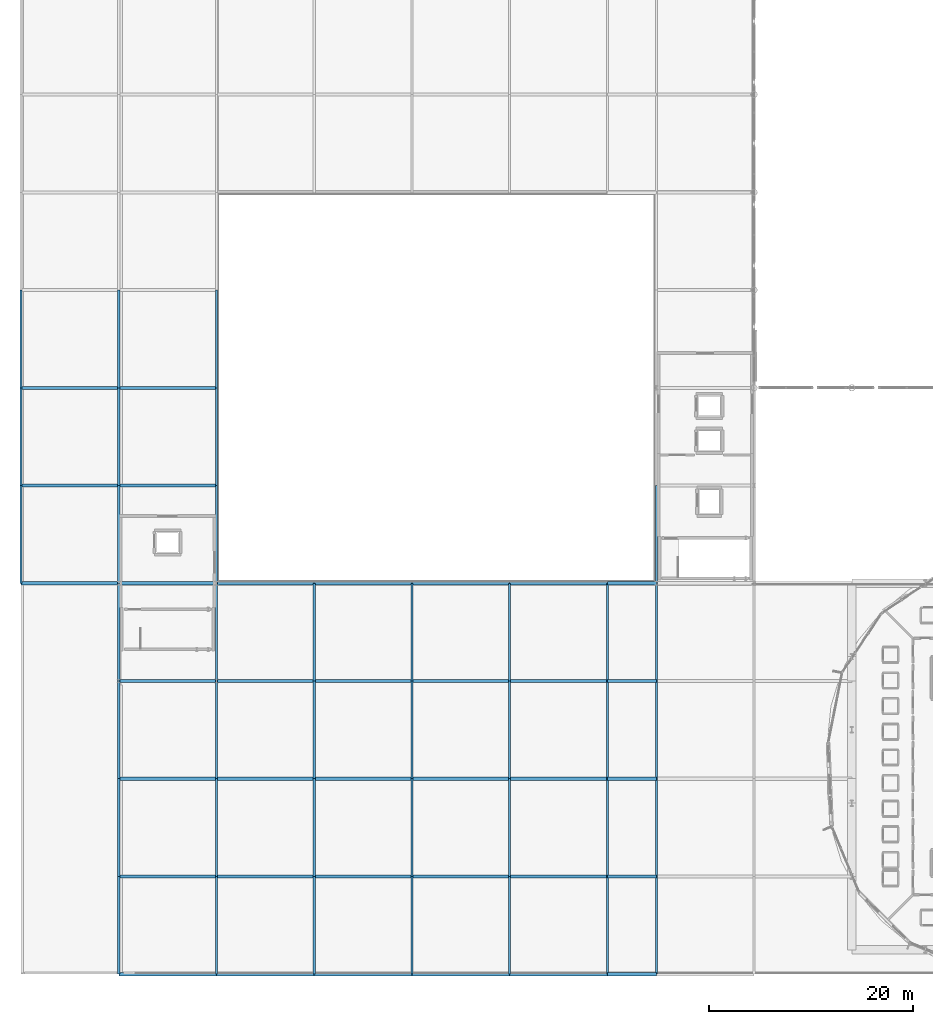
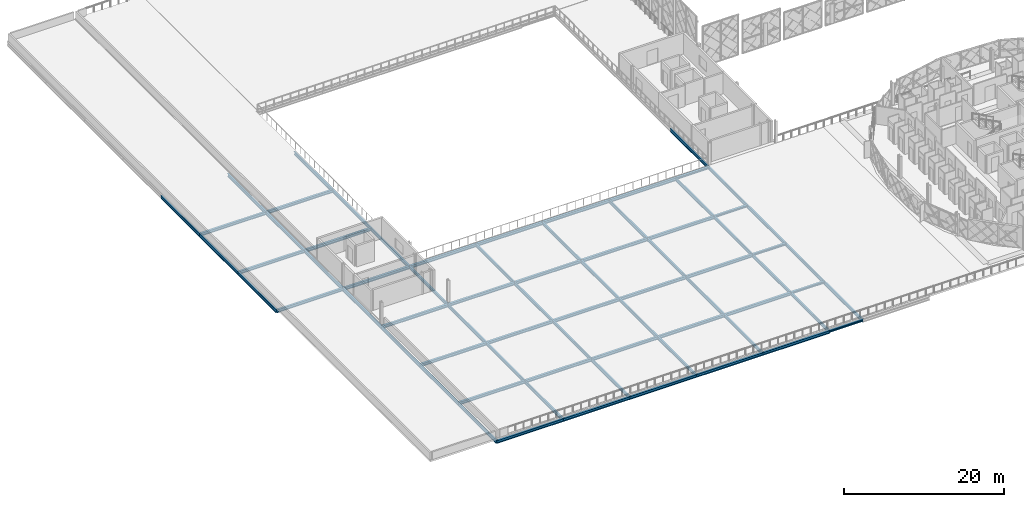
# One storey, part 8 of 53: 73 beams.
"""IFC4 building model written with IfcOpenShell, lengths in metres."""

from ifc_helpers import new_model, si_unit, direction, frame, origin, origin_2d, place, context, subcontext, project, spatial, i_section, extrude, material, material_profile, profile_set, type_object, element, save


model = new_model("IFC4")

# Units and contexts
model_context = context("Model", 3, precision=1e-05, world=origin(), true_north=direction((0.0, 1.0)))
body_context = subcontext(model_context, "Body", "Model", "MODEL_VIEW")
ifc_project = project(units=[si_unit("LENGTHUNIT", "METRE"), si_unit("AREAUNIT", "SQUARE_METRE"), si_unit("VOLUMEUNIT", "CUBIC_METRE"), si_unit("PLANEANGLEUNIT", "RADIAN"), si_unit("MASSUNIT", "GRAM", prefix="KILO")], contexts=[model_context])

# Site, building, storey
site_placement = place(None, origin())
site = spatial("IfcSite", under=ifc_project, at=site_placement, CompositionType="ELEMENT")
building_placement = place(site_placement, origin())
building = spatial("IfcBuilding", under=site, at=building_placement, Name="Zevrakil Square Congress Hotel", CompositionType="ELEMENT")
storey_placement = place(building_placement, frame((0.0, 0.0, 14.699951171875)))
storey = spatial("IfcBuildingStorey", under=building, at=storey_placement, Name="L04", CompositionType="ELEMENT", Elevation=14.699951171875)

# Beams
ifc_material_1 = material(Name="Steel S355", Category="steel")
ifc_material_profile_1 = material_profile(ifc_material_1, i_section(OverallWidth=0.300048828125, OverallDepth=0.31005859375, WebThickness=0.009033203125, FlangeThickness=0.015380859375, FilletRadius=0.027099609375, at=origin_2d()), Name="HEA 320")
ifc_profile_set_1 = profile_set([ifc_material_profile_1], Name="Steel S355")
beam_type_1 = type_object("IfcBeamType", Name="BM-HEA320", PredefinedType="BEAM", material=ifc_profile_set_1)
for number, where, z_axis, x_axis, name in (
    (1, (103.199951171875, 7.199951171875, -0.4150390625), (1.0, 0.0, 0.0), (0.0, 1.0, 0.0), "L04 primary girder BX-1197"),
    (2, (103.199951171875, 16.800048828125, -0.4150390625), (1.0, 0.0, 0.0), (0.0, 1.0, 0.0), "L04 primary girder BX-1204"),
    (3, (103.199951171875, 26.39990234375, -0.4150390625), (1.0, 0.0, 0.0), (0.0, 1.0, 0.0), "L04 primary girder BX-1212"),
    (4, (103.199951171875, 36.0, -0.4150390625), (1.0, 0.0, 0.0), (0.0, 1.0, 0.0), "L04 primary girder BX-1220"),
    (5, (103.199951171875, 45.60009765625, -0.4150390625), (1.0, 0.0, 0.0), (0.0, 1.0, 0.0), "L04 primary girder BX-1229"),
):
    element("IfcBeam", number, at=place(storey_placement, frame(where, z_axis=z_axis, x_axis=x_axis)), inside=storey, type_object=beam_type_1, Name=name, PredefinedType="BEAM", context=body_context, shape_type="SweptSolid", body=[
        extrude(i_section(OverallWidth=0.300048828125, OverallDepth=0.31005859375, WebThickness=0.009033203125, FlangeThickness=0.015380859375, FilletRadius=0.027099609375, at=origin_2d()), origin(), (0.0, 0.0, 1.0), 4.800048828125),
    ])
ifc_material_2 = material(Name="Steel S355", Category="steel")
ifc_material_profile_2 = material_profile(ifc_material_2, i_section(OverallWidth=0.300048828125, OverallDepth=0.43994140625, WebThickness=0.011474609375, FlangeThickness=0.02099609375, FilletRadius=0.027099609375, at=origin_2d()), Name="HEA 450")
ifc_profile_set_2 = profile_set([ifc_material_profile_2], Name="Steel S355")
beam_type_2 = type_object("IfcBeamType", Name="BM-HEA450", PredefinedType="BEAM", material=ifc_profile_set_2)
beam_1_placement = place(storey_placement, frame((55.199951171875, 7.199951171875, -0.47998046875), z_axis=(1.0, 0.0, 0.0), x_axis=(0.0, 1.0, 0.0)))
element("IfcBeam", 6, at=beam_1_placement, inside=storey, type_object=beam_type_2, Name="L04 primary girder BX-1192", PredefinedType="BEAM", context=body_context, shape_type="SweptSolid", body=[
    extrude(i_section(OverallWidth=0.300048828125, OverallDepth=0.43994140625, WebThickness=0.011474609375, FlangeThickness=0.02099609375, FilletRadius=0.027099609375, at=origin_2d()), origin(), (0.0, 0.0, 1.0), 9.60009765625),
])
beam_2_placement = place(storey_placement, frame((64.800048828125, 7.199951171875, -0.47998046875), z_axis=(1.0, 0.0, 0.0), x_axis=(0.0, 1.0, 0.0)))
element("IfcBeam", 7, at=beam_2_placement, inside=storey, type_object=beam_type_2, Name="L04 primary girder BX-1193", PredefinedType="BEAM", context=body_context, shape_type="SweptSolid", body=[
    extrude(i_section(OverallWidth=0.300048828125, OverallDepth=0.43994140625, WebThickness=0.011474609375, FlangeThickness=0.02099609375, FilletRadius=0.027099609375, at=origin_2d()), origin(), (0.0, 0.0, 1.0), 9.599853515625),
])
for number, where, z_axis, x_axis, name in (
    (8, (74.39990234375, 7.199951171875, -0.47998046875), (1.0, 0.0, 0.0), (0.0, 1.0, 0.0), "L04 primary girder BX-1194"),
    (9, (84.0, 7.199951171875, -0.47998046875), (1.0, 0.0, 0.0), (0.0, 1.0, 0.0), "L04 primary girder BX-1195"),
):
    element("IfcBeam", number, at=place(storey_placement, frame(where, z_axis=z_axis, x_axis=x_axis)), inside=storey, type_object=beam_type_2, Name=name, PredefinedType="BEAM", context=body_context, shape_type="SweptSolid", body=[
        extrude(i_section(OverallWidth=0.300048828125, OverallDepth=0.43994140625, WebThickness=0.011474609375, FlangeThickness=0.02099609375, FilletRadius=0.027099609375, at=origin_2d()), origin(), (0.0, 0.0, 1.0), 9.60009765625),
    ])
beam_3_placement = place(storey_placement, frame((93.60009765625, 7.199951171875, -0.47998046875), z_axis=(1.0, 0.0, 0.0), x_axis=(0.0, 1.0, 0.0)))
element("IfcBeam", 10, at=beam_3_placement, inside=storey, type_object=beam_type_2, Name="L04 primary girder BX-1196", PredefinedType="BEAM", context=body_context, shape_type="SweptSolid", body=[
    extrude(i_section(OverallWidth=0.300048828125, OverallDepth=0.43994140625, WebThickness=0.011474609375, FlangeThickness=0.02099609375, FilletRadius=0.027099609375, at=origin_2d()), origin(), (0.0, 0.0, 1.0), 9.599853515625),
])
beam_4_placement = place(storey_placement, frame((55.199951171875, 16.800048828125, -0.47998046875), z_axis=(1.0, 0.0, 0.0), x_axis=(0.0, 1.0, 0.0)))
element("IfcBeam", 11, at=beam_4_placement, inside=storey, type_object=beam_type_2, Name="L04 primary girder BX-1199", PredefinedType="BEAM", context=body_context, shape_type="SweptSolid", body=[
    extrude(i_section(OverallWidth=0.300048828125, OverallDepth=0.43994140625, WebThickness=0.011474609375, FlangeThickness=0.02099609375, FilletRadius=0.027099609375, at=origin_2d()), origin(), (0.0, 0.0, 1.0), 9.60009765625),
])
beam_5_placement = place(storey_placement, frame((64.800048828125, 16.800048828125, -0.47998046875), z_axis=(1.0, 0.0, 0.0), x_axis=(0.0, 1.0, 0.0)))
element("IfcBeam", 12, at=beam_5_placement, inside=storey, type_object=beam_type_2, Name="L04 primary girder BX-1200", PredefinedType="BEAM", context=body_context, shape_type="SweptSolid", body=[
    extrude(i_section(OverallWidth=0.300048828125, OverallDepth=0.43994140625, WebThickness=0.011474609375, FlangeThickness=0.02099609375, FilletRadius=0.027099609375, at=origin_2d()), origin(), (0.0, 0.0, 1.0), 9.599853515625),
])
for number, where, z_axis, x_axis, name in (
    (13, (74.39990234375, 16.800048828125, -0.47998046875), (1.0, 0.0, 0.0), (0.0, 1.0, 0.0), "L04 primary girder BX-1201"),
    (14, (84.0, 16.800048828125, -0.47998046875), (1.0, 0.0, 0.0), (0.0, 1.0, 0.0), "L04 primary girder BX-1202"),
):
    element("IfcBeam", number, at=place(storey_placement, frame(where, z_axis=z_axis, x_axis=x_axis)), inside=storey, type_object=beam_type_2, Name=name, PredefinedType="BEAM", context=body_context, shape_type="SweptSolid", body=[
        extrude(i_section(OverallWidth=0.300048828125, OverallDepth=0.43994140625, WebThickness=0.011474609375, FlangeThickness=0.02099609375, FilletRadius=0.027099609375, at=origin_2d()), origin(), (0.0, 0.0, 1.0), 9.60009765625),
    ])
beam_6_placement = place(storey_placement, frame((93.60009765625, 16.800048828125, -0.47998046875), z_axis=(1.0, 0.0, 0.0), x_axis=(0.0, 1.0, 0.0)))
element("IfcBeam", 15, at=beam_6_placement, inside=storey, type_object=beam_type_2, Name="L04 primary girder BX-1203", PredefinedType="BEAM", context=body_context, shape_type="SweptSolid", body=[
    extrude(i_section(OverallWidth=0.300048828125, OverallDepth=0.43994140625, WebThickness=0.011474609375, FlangeThickness=0.02099609375, FilletRadius=0.027099609375, at=origin_2d()), origin(), (0.0, 0.0, 1.0), 9.599853515625),
])
beam_7_placement = place(storey_placement, frame((55.199951171875, 26.39990234375, -0.47998046875), z_axis=(1.0, 0.0, 0.0), x_axis=(0.0, 1.0, 0.0)))
element("IfcBeam", 16, at=beam_7_placement, inside=storey, type_object=beam_type_2, Name="L04 primary girder BX-1207", PredefinedType="BEAM", context=body_context, shape_type="SweptSolid", body=[
    extrude(i_section(OverallWidth=0.300048828125, OverallDepth=0.43994140625, WebThickness=0.011474609375, FlangeThickness=0.02099609375, FilletRadius=0.027099609375, at=origin_2d()), origin(), (0.0, 0.0, 1.0), 9.60009765625),
])
beam_8_placement = place(storey_placement, frame((64.800048828125, 26.39990234375, -0.47998046875), z_axis=(1.0, 0.0, 0.0), x_axis=(0.0, 1.0, 0.0)))
element("IfcBeam", 17, at=beam_8_placement, inside=storey, type_object=beam_type_2, Name="L04 primary girder BX-1208", PredefinedType="BEAM", context=body_context, shape_type="SweptSolid", body=[
    extrude(i_section(OverallWidth=0.300048828125, OverallDepth=0.43994140625, WebThickness=0.011474609375, FlangeThickness=0.02099609375, FilletRadius=0.027099609375, at=origin_2d()), origin(), (0.0, 0.0, 1.0), 9.599853515625),
])
for number, where, z_axis, x_axis, name in (
    (18, (74.39990234375, 26.39990234375, -0.47998046875), (1.0, 0.0, 0.0), (0.0, 1.0, 0.0), "L04 primary girder BX-1209"),
    (19, (84.0, 26.39990234375, -0.47998046875), (1.0, 0.0, 0.0), (0.0, 1.0, 0.0), "L04 primary girder BX-1210"),
):
    element("IfcBeam", number, at=place(storey_placement, frame(where, z_axis=z_axis, x_axis=x_axis)), inside=storey, type_object=beam_type_2, Name=name, PredefinedType="BEAM", context=body_context, shape_type="SweptSolid", body=[
        extrude(i_section(OverallWidth=0.300048828125, OverallDepth=0.43994140625, WebThickness=0.011474609375, FlangeThickness=0.02099609375, FilletRadius=0.027099609375, at=origin_2d()), origin(), (0.0, 0.0, 1.0), 9.60009765625),
    ])
beam_9_placement = place(storey_placement, frame((93.60009765625, 26.39990234375, -0.47998046875), z_axis=(1.0, 0.0, 0.0), x_axis=(0.0, 1.0, 0.0)))
element("IfcBeam", 20, at=beam_9_placement, inside=storey, type_object=beam_type_2, Name="L04 primary girder BX-1211", PredefinedType="BEAM", context=body_context, shape_type="SweptSolid", body=[
    extrude(i_section(OverallWidth=0.300048828125, OverallDepth=0.43994140625, WebThickness=0.011474609375, FlangeThickness=0.02099609375, FilletRadius=0.027099609375, at=origin_2d()), origin(), (0.0, 0.0, 1.0), 9.599853515625),
])
beam_10_placement = place(storey_placement, frame((55.199951171875, 36.0, -0.47998046875), z_axis=(1.0, 0.0, 0.0), x_axis=(0.0, 1.0, 0.0)))
element("IfcBeam", 21, at=beam_10_placement, inside=storey, type_object=beam_type_2, Name="L04 primary girder BX-1215", PredefinedType="BEAM", context=body_context, shape_type="SweptSolid", body=[
    extrude(i_section(OverallWidth=0.300048828125, OverallDepth=0.43994140625, WebThickness=0.011474609375, FlangeThickness=0.02099609375, FilletRadius=0.027099609375, at=origin_2d()), origin(), (0.0, 0.0, 1.0), 9.60009765625),
])
beam_11_placement = place(storey_placement, frame((64.800048828125, 36.0, -0.47998046875), z_axis=(1.0, 0.0, 0.0), x_axis=(0.0, 1.0, 0.0)))
element("IfcBeam", 22, at=beam_11_placement, inside=storey, type_object=beam_type_2, Name="L04 primary girder BX-1216", PredefinedType="BEAM", context=body_context, shape_type="SweptSolid", body=[
    extrude(i_section(OverallWidth=0.300048828125, OverallDepth=0.43994140625, WebThickness=0.011474609375, FlangeThickness=0.02099609375, FilletRadius=0.027099609375, at=origin_2d()), origin(), (0.0, 0.0, 1.0), 9.599853515625),
])
for number, where, z_axis, x_axis, name in (
    (23, (74.39990234375, 36.0, -0.47998046875), (1.0, 0.0, 0.0), (0.0, 1.0, 0.0), "L04 primary girder BX-1217"),
    (24, (84.0, 36.0, -0.47998046875), (1.0, 0.0, 0.0), (0.0, 1.0, 0.0), "L04 primary girder BX-1218"),
):
    element("IfcBeam", number, at=place(storey_placement, frame(where, z_axis=z_axis, x_axis=x_axis)), inside=storey, type_object=beam_type_2, Name=name, PredefinedType="BEAM", context=body_context, shape_type="SweptSolid", body=[
        extrude(i_section(OverallWidth=0.300048828125, OverallDepth=0.43994140625, WebThickness=0.011474609375, FlangeThickness=0.02099609375, FilletRadius=0.027099609375, at=origin_2d()), origin(), (0.0, 0.0, 1.0), 9.60009765625),
    ])
for number, where, z_axis, x_axis, name in (
    (25, (93.60009765625, 36.0, -0.47998046875), (1.0, 0.0, 0.0), (0.0, 1.0, 0.0), "L04 primary girder BX-1219"),
    (26, (45.60009765625, 45.60009765625, -0.47998046875), (1.0, 0.0, 0.0), (0.0, 1.0, 0.0), "L04 primary girder BX-1223"),
):
    element("IfcBeam", number, at=place(storey_placement, frame(where, z_axis=z_axis, x_axis=x_axis)), inside=storey, type_object=beam_type_2, Name=name, PredefinedType="BEAM", context=body_context, shape_type="SweptSolid", body=[
        extrude(i_section(OverallWidth=0.300048828125, OverallDepth=0.43994140625, WebThickness=0.011474609375, FlangeThickness=0.02099609375, FilletRadius=0.027099609375, at=origin_2d()), origin(), (0.0, 0.0, 1.0), 9.599853515625),
    ])
beam_12_placement = place(storey_placement, frame((55.199951171875, 45.60009765625, -0.47998046875), z_axis=(1.0, 0.0, 0.0), x_axis=(0.0, 1.0, 0.0)))
element("IfcBeam", 27, at=beam_12_placement, inside=storey, type_object=beam_type_2, Name="L04 primary girder BX-1224", PredefinedType="BEAM", context=body_context, shape_type="SweptSolid", body=[
    extrude(i_section(OverallWidth=0.300048828125, OverallDepth=0.43994140625, WebThickness=0.011474609375, FlangeThickness=0.02099609375, FilletRadius=0.027099609375, at=origin_2d()), origin(), (0.0, 0.0, 1.0), 9.60009765625),
])
beam_13_placement = place(storey_placement, frame((64.800048828125, 45.60009765625, -0.47998046875), z_axis=(1.0, 0.0, 0.0), x_axis=(0.0, 1.0, 0.0)))
element("IfcBeam", 28, at=beam_13_placement, inside=storey, type_object=beam_type_2, Name="L04 primary girder BX-1225", PredefinedType="BEAM", context=body_context, shape_type="SweptSolid", body=[
    extrude(i_section(OverallWidth=0.300048828125, OverallDepth=0.43994140625, WebThickness=0.011474609375, FlangeThickness=0.02099609375, FilletRadius=0.027099609375, at=origin_2d()), origin(), (0.0, 0.0, 1.0), 9.599853515625),
])
for number, where, z_axis, x_axis, name in (
    (29, (74.39990234375, 45.60009765625, -0.47998046875), (1.0, 0.0, 0.0), (0.0, 1.0, 0.0), "L04 primary girder BX-1226"),
    (30, (84.0, 45.60009765625, -0.47998046875), (1.0, 0.0, 0.0), (0.0, 1.0, 0.0), "L04 primary girder BX-1227"),
):
    element("IfcBeam", number, at=place(storey_placement, frame(where, z_axis=z_axis, x_axis=x_axis)), inside=storey, type_object=beam_type_2, Name=name, PredefinedType="BEAM", context=body_context, shape_type="SweptSolid", body=[
        extrude(i_section(OverallWidth=0.300048828125, OverallDepth=0.43994140625, WebThickness=0.011474609375, FlangeThickness=0.02099609375, FilletRadius=0.027099609375, at=origin_2d()), origin(), (0.0, 0.0, 1.0), 9.60009765625),
    ])
for number, where, z_axis, x_axis, name in (
    (31, (93.60009765625, 45.60009765625, -0.47998046875), (1.0, 0.0, 0.0), (0.0, 1.0, 0.0), "L04 primary girder BX-1228"),
    (32, (45.60009765625, 55.199951171875, -0.47998046875), (1.0, 0.0, 0.0), (0.0, 1.0, 0.0), "L04 primary girder BX-1232"),
):
    element("IfcBeam", number, at=place(storey_placement, frame(where, z_axis=z_axis, x_axis=x_axis)), inside=storey, type_object=beam_type_2, Name=name, PredefinedType="BEAM", context=body_context, shape_type="SweptSolid", body=[
        extrude(i_section(OverallWidth=0.300048828125, OverallDepth=0.43994140625, WebThickness=0.011474609375, FlangeThickness=0.02099609375, FilletRadius=0.027099609375, at=origin_2d()), origin(), (0.0, 0.0, 1.0), 9.599853515625),
    ])
beam_14_placement = place(storey_placement, frame((55.199951171875, 55.199951171875, -0.47998046875), z_axis=(1.0, 0.0, 0.0), x_axis=(0.0, 1.0, 0.0)))
element("IfcBeam", 33, at=beam_14_placement, inside=storey, type_object=beam_type_2, Name="L04 primary girder BX-1233", PredefinedType="BEAM", context=body_context, shape_type="SweptSolid", body=[
    extrude(i_section(OverallWidth=0.300048828125, OverallDepth=0.43994140625, WebThickness=0.011474609375, FlangeThickness=0.02099609375, FilletRadius=0.027099609375, at=origin_2d()), origin(), (0.0, 0.0, 1.0), 9.60009765625),
])
beam_15_placement = place(storey_placement, frame((45.60009765625, 64.800048828125, -0.47998046875), z_axis=(1.0, 0.0, 0.0), x_axis=(0.0, 1.0, 0.0)))
element("IfcBeam", 34, at=beam_15_placement, inside=storey, type_object=beam_type_2, Name="L04 primary girder BX-1235", PredefinedType="BEAM", context=body_context, shape_type="SweptSolid", body=[
    extrude(i_section(OverallWidth=0.300048828125, OverallDepth=0.43994140625, WebThickness=0.011474609375, FlangeThickness=0.02099609375, FilletRadius=0.027099609375, at=origin_2d()), origin(), (0.0, 0.0, 1.0), 9.599853515625),
])
beam_16_placement = place(storey_placement, frame((55.199951171875, 64.800048828125, -0.47998046875), z_axis=(1.0, 0.0, 0.0), x_axis=(0.0, 1.0, 0.0)))
element("IfcBeam", 35, at=beam_16_placement, inside=storey, type_object=beam_type_2, Name="L04 primary girder BX-1236", PredefinedType="BEAM", context=body_context, shape_type="SweptSolid", body=[
    extrude(i_section(OverallWidth=0.300048828125, OverallDepth=0.43994140625, WebThickness=0.011474609375, FlangeThickness=0.02099609375, FilletRadius=0.027099609375, at=origin_2d()), origin(), (0.0, 0.0, 1.0), 9.60009765625),
])
ifc_material_3 = material(Name="Steel S355", Category="steel")
ifc_material_profile_3 = material_profile(ifc_material_3, i_section(OverallWidth=0.199951171875, OverallDepth=0.5, WebThickness=0.01025390625, FlangeThickness=0.01611328125, FilletRadius=0.02099609375, at=origin_2d()), Name="IPE 500")
ifc_profile_set_3 = profile_set([ifc_material_profile_3], Name="Steel S355")
beam_type_3 = type_object("IfcBeamType", Name="BM-IPE500", PredefinedType="BEAM", material=ifc_profile_set_3)
beam_17_placement = place(storey_placement, frame((45.60009765625, 45.60009765625, -0.510009765625), z_axis=(0.0, 1.0, 0.0), x_axis=(-1.0, 0.0, 0.0)))
element("IfcBeam", 36, at=beam_17_placement, inside=storey, type_object=beam_type_3, Name="L04 primary girder BY-1273", PredefinedType="BEAM", context=body_context, shape_type="SweptSolid", body=[
    extrude(i_section(OverallWidth=0.199951171875, OverallDepth=0.5, WebThickness=0.01025390625, FlangeThickness=0.01611328125, FilletRadius=0.02099609375, at=origin_2d()), origin(), (0.0, 0.0, 1.0), 9.599853515625),
])
beam_18_placement = place(storey_placement, frame((45.60009765625, 55.199951171875, -0.510009765625), z_axis=(0.0, 1.0, 0.0), x_axis=(-1.0, 0.0, 0.0)))
element("IfcBeam", 37, at=beam_18_placement, inside=storey, type_object=beam_type_3, Name="L04 primary girder BY-1274", PredefinedType="BEAM", context=body_context, shape_type="SweptSolid", body=[
    extrude(i_section(OverallWidth=0.199951171875, OverallDepth=0.5, WebThickness=0.01025390625, FlangeThickness=0.01611328125, FilletRadius=0.02099609375, at=origin_2d()), origin(), (0.0, 0.0, 1.0), 9.60009765625),
])
beam_19_placement = place(storey_placement, frame((45.60009765625, 64.800048828125, -0.510009765625), z_axis=(0.0, 1.0, 0.0), x_axis=(-1.0, 0.0, 0.0)))
element("IfcBeam", 38, at=beam_19_placement, inside=storey, type_object=beam_type_3, Name="L04 primary girder BY-1275", PredefinedType="BEAM", context=body_context, shape_type="SweptSolid", body=[
    extrude(i_section(OverallWidth=0.199951171875, OverallDepth=0.5, WebThickness=0.01025390625, FlangeThickness=0.01611328125, FilletRadius=0.02099609375, at=origin_2d()), origin(), (0.0, 0.0, 1.0), 9.599853515625),
])
beam_20_placement = place(storey_placement, frame((55.199951171875, 7.199951171875, -0.510009765625), z_axis=(0.0, 1.0, 0.0), x_axis=(-1.0, 0.0, 0.0)))
element("IfcBeam", 39, at=beam_20_placement, inside=storey, type_object=beam_type_3, Name="L04 primary girder BY-1280", PredefinedType="BEAM", context=body_context, shape_type="SweptSolid", body=[
    extrude(i_section(OverallWidth=0.199951171875, OverallDepth=0.5, WebThickness=0.01025390625, FlangeThickness=0.01611328125, FilletRadius=0.02099609375, at=origin_2d()), origin(), (0.0, 0.0, 1.0), 9.60009765625),
])
beam_21_placement = place(storey_placement, frame((55.199951171875, 16.800048828125, -0.510009765625), z_axis=(0.0, 1.0, 0.0), x_axis=(-1.0, 0.0, 0.0)))
element("IfcBeam", 40, at=beam_21_placement, inside=storey, type_object=beam_type_3, Name="L04 primary girder BY-1281", PredefinedType="BEAM", context=body_context, shape_type="SweptSolid", body=[
    extrude(i_section(OverallWidth=0.199951171875, OverallDepth=0.5, WebThickness=0.01025390625, FlangeThickness=0.01611328125, FilletRadius=0.02099609375, at=origin_2d()), origin(), (0.0, 0.0, 1.0), 9.599853515625),
])
for number, where, z_axis, x_axis, name in (
    (41, (55.199951171875, 26.39990234375, -0.510009765625), (0.0, 1.0, 0.0), (-1.0, 0.0, 0.0), "L04 primary girder BY-1282"),
    (42, (55.199951171875, 36.0, -0.510009765625), (0.0, 1.0, 0.0), (-1.0, 0.0, 0.0), "L04 primary girder BY-1283"),
):
    element("IfcBeam", number, at=place(storey_placement, frame(where, z_axis=z_axis, x_axis=x_axis)), inside=storey, type_object=beam_type_3, Name=name, PredefinedType="BEAM", context=body_context, shape_type="SweptSolid", body=[
        extrude(i_section(OverallWidth=0.199951171875, OverallDepth=0.5, WebThickness=0.01025390625, FlangeThickness=0.01611328125, FilletRadius=0.02099609375, at=origin_2d()), origin(), (0.0, 0.0, 1.0), 9.60009765625),
    ])
beam_22_placement = place(storey_placement, frame((55.199951171875, 45.60009765625, -0.510009765625), z_axis=(0.0, 1.0, 0.0), x_axis=(-1.0, 0.0, 0.0)))
element("IfcBeam", 43, at=beam_22_placement, inside=storey, type_object=beam_type_3, Name="L04 primary girder BY-1284", PredefinedType="BEAM", context=body_context, shape_type="SweptSolid", body=[
    extrude(i_section(OverallWidth=0.199951171875, OverallDepth=0.5, WebThickness=0.01025390625, FlangeThickness=0.01611328125, FilletRadius=0.02099609375, at=origin_2d()), origin(), (0.0, 0.0, 1.0), 9.599853515625),
])
beam_23_placement = place(storey_placement, frame((55.199951171875, 55.199951171875, -0.510009765625), z_axis=(0.0, 1.0, 0.0), x_axis=(-1.0, 0.0, 0.0)))
element("IfcBeam", 44, at=beam_23_placement, inside=storey, type_object=beam_type_3, Name="L04 primary girder BY-1285", PredefinedType="BEAM", context=body_context, shape_type="SweptSolid", body=[
    extrude(i_section(OverallWidth=0.199951171875, OverallDepth=0.5, WebThickness=0.01025390625, FlangeThickness=0.01611328125, FilletRadius=0.02099609375, at=origin_2d()), origin(), (0.0, 0.0, 1.0), 9.60009765625),
])
beam_24_placement = place(storey_placement, frame((55.199951171875, 64.800048828125, -0.510009765625), z_axis=(0.0, 1.0, 0.0), x_axis=(-1.0, 0.0, 0.0)))
element("IfcBeam", 45, at=beam_24_placement, inside=storey, type_object=beam_type_3, Name="L04 primary girder BY-1286", PredefinedType="BEAM", context=body_context, shape_type="SweptSolid", body=[
    extrude(i_section(OverallWidth=0.199951171875, OverallDepth=0.5, WebThickness=0.01025390625, FlangeThickness=0.01611328125, FilletRadius=0.02099609375, at=origin_2d()), origin(), (0.0, 0.0, 1.0), 9.599853515625),
])
beam_25_placement = place(storey_placement, frame((64.800048828125, 7.199951171875, -0.510009765625), z_axis=(0.0, 1.0, 0.0), x_axis=(-1.0, 0.0, 0.0)))
element("IfcBeam", 46, at=beam_25_placement, inside=storey, type_object=beam_type_3, Name="L04 primary girder BY-1291", PredefinedType="BEAM", context=body_context, shape_type="SweptSolid", body=[
    extrude(i_section(OverallWidth=0.199951171875, OverallDepth=0.5, WebThickness=0.01025390625, FlangeThickness=0.01611328125, FilletRadius=0.02099609375, at=origin_2d()), origin(), (0.0, 0.0, 1.0), 9.60009765625),
])
beam_26_placement = place(storey_placement, frame((64.800048828125, 16.800048828125, -0.510009765625), z_axis=(0.0, 1.0, 0.0), x_axis=(-1.0, 0.0, 0.0)))
element("IfcBeam", 47, at=beam_26_placement, inside=storey, type_object=beam_type_3, Name="L04 primary girder BY-1292", PredefinedType="BEAM", context=body_context, shape_type="SweptSolid", body=[
    extrude(i_section(OverallWidth=0.199951171875, OverallDepth=0.5, WebThickness=0.01025390625, FlangeThickness=0.01611328125, FilletRadius=0.02099609375, at=origin_2d()), origin(), (0.0, 0.0, 1.0), 9.599853515625),
])
for number, where, z_axis, x_axis, name in (
    (48, (64.800048828125, 26.39990234375, -0.510009765625), (0.0, 1.0, 0.0), (-1.0, 0.0, 0.0), "L04 primary girder BY-1293"),
    (49, (64.800048828125, 36.0, -0.510009765625), (0.0, 1.0, 0.0), (-1.0, 0.0, 0.0), "L04 primary girder BY-1294"),
):
    element("IfcBeam", number, at=place(storey_placement, frame(where, z_axis=z_axis, x_axis=x_axis)), inside=storey, type_object=beam_type_3, Name=name, PredefinedType="BEAM", context=body_context, shape_type="SweptSolid", body=[
        extrude(i_section(OverallWidth=0.199951171875, OverallDepth=0.5, WebThickness=0.01025390625, FlangeThickness=0.01611328125, FilletRadius=0.02099609375, at=origin_2d()), origin(), (0.0, 0.0, 1.0), 9.60009765625),
    ])
beam_27_placement = place(storey_placement, frame((64.800048828125, 45.60009765625, -0.510009765625), z_axis=(0.0, 1.0, 0.0), x_axis=(-1.0, 0.0, 0.0)))
element("IfcBeam", 50, at=beam_27_placement, inside=storey, type_object=beam_type_3, Name="L04 primary girder BY-1295", PredefinedType="BEAM", context=body_context, shape_type="SweptSolid", body=[
    extrude(i_section(OverallWidth=0.199951171875, OverallDepth=0.5, WebThickness=0.01025390625, FlangeThickness=0.01611328125, FilletRadius=0.02099609375, at=origin_2d()), origin(), (0.0, 0.0, 1.0), 9.599853515625),
])
beam_28_placement = place(storey_placement, frame((64.800048828125, 55.199951171875, -0.510009765625), z_axis=(0.0, 1.0, 0.0), x_axis=(-1.0, 0.0, 0.0)))
element("IfcBeam", 51, at=beam_28_placement, inside=storey, type_object=beam_type_3, Name="L04 primary girder BY-1296", PredefinedType="BEAM", context=body_context, shape_type="SweptSolid", body=[
    extrude(i_section(OverallWidth=0.199951171875, OverallDepth=0.5, WebThickness=0.01025390625, FlangeThickness=0.01611328125, FilletRadius=0.02099609375, at=origin_2d()), origin(), (0.0, 0.0, 1.0), 9.60009765625),
])
beam_29_placement = place(storey_placement, frame((64.800048828125, 64.800048828125, -0.510009765625), z_axis=(0.0, 1.0, 0.0), x_axis=(-1.0, 0.0, 0.0)))
element("IfcBeam", 52, at=beam_29_placement, inside=storey, type_object=beam_type_3, Name="L04 primary girder BY-1297", PredefinedType="BEAM", context=body_context, shape_type="SweptSolid", body=[
    extrude(i_section(OverallWidth=0.199951171875, OverallDepth=0.5, WebThickness=0.01025390625, FlangeThickness=0.01611328125, FilletRadius=0.02099609375, at=origin_2d()), origin(), (0.0, 0.0, 1.0), 9.599853515625),
])
beam_30_placement = place(storey_placement, frame((74.39990234375, 7.199951171875, -0.510009765625), z_axis=(0.0, 1.0, 0.0), x_axis=(-1.0, 0.0, 0.0)))
element("IfcBeam", 53, at=beam_30_placement, inside=storey, type_object=beam_type_3, Name="L04 primary girder BY-1302", PredefinedType="BEAM", context=body_context, shape_type="SweptSolid", body=[
    extrude(i_section(OverallWidth=0.199951171875, OverallDepth=0.5, WebThickness=0.01025390625, FlangeThickness=0.01611328125, FilletRadius=0.02099609375, at=origin_2d()), origin(), (0.0, 0.0, 1.0), 9.60009765625),
])
beam_31_placement = place(storey_placement, frame((74.39990234375, 16.800048828125, -0.510009765625), z_axis=(0.0, 1.0, 0.0), x_axis=(-1.0, 0.0, 0.0)))
element("IfcBeam", 54, at=beam_31_placement, inside=storey, type_object=beam_type_3, Name="L04 primary girder BY-1303", PredefinedType="BEAM", context=body_context, shape_type="SweptSolid", body=[
    extrude(i_section(OverallWidth=0.199951171875, OverallDepth=0.5, WebThickness=0.01025390625, FlangeThickness=0.01611328125, FilletRadius=0.02099609375, at=origin_2d()), origin(), (0.0, 0.0, 1.0), 9.599853515625),
])
for number, where, z_axis, x_axis, name in (
    (55, (74.39990234375, 26.39990234375, -0.510009765625), (0.0, 1.0, 0.0), (-1.0, 0.0, 0.0), "L04 primary girder BY-1304"),
    (56, (74.39990234375, 36.0, -0.510009765625), (0.0, 1.0, 0.0), (-1.0, 0.0, 0.0), "L04 primary girder BY-1305"),
    (57, (84.0, 7.199951171875, -0.510009765625), (0.0, 1.0, 0.0), (-1.0, 0.0, 0.0), "L04 primary girder BY-1309"),
):
    element("IfcBeam", number, at=place(storey_placement, frame(where, z_axis=z_axis, x_axis=x_axis)), inside=storey, type_object=beam_type_3, Name=name, PredefinedType="BEAM", context=body_context, shape_type="SweptSolid", body=[
        extrude(i_section(OverallWidth=0.199951171875, OverallDepth=0.5, WebThickness=0.01025390625, FlangeThickness=0.01611328125, FilletRadius=0.02099609375, at=origin_2d()), origin(), (0.0, 0.0, 1.0), 9.60009765625),
    ])
beam_32_placement = place(storey_placement, frame((84.0, 16.800048828125, -0.510009765625), z_axis=(0.0, 1.0, 0.0), x_axis=(-1.0, 0.0, 0.0)))
element("IfcBeam", 58, at=beam_32_placement, inside=storey, type_object=beam_type_3, Name="L04 primary girder BY-1310", PredefinedType="BEAM", context=body_context, shape_type="SweptSolid", body=[
    extrude(i_section(OverallWidth=0.199951171875, OverallDepth=0.5, WebThickness=0.01025390625, FlangeThickness=0.01611328125, FilletRadius=0.02099609375, at=origin_2d()), origin(), (0.0, 0.0, 1.0), 9.599853515625),
])
for number, where, z_axis, x_axis, name in (
    (59, (84.0, 26.39990234375, -0.510009765625), (0.0, 1.0, 0.0), (-1.0, 0.0, 0.0), "L04 primary girder BY-1311"),
    (60, (84.0, 36.0, -0.510009765625), (0.0, 1.0, 0.0), (-1.0, 0.0, 0.0), "L04 primary girder BY-1312"),
    (61, (93.60009765625, 7.199951171875, -0.510009765625), (0.0, 1.0, 0.0), (-1.0, 0.0, 0.0), "L04 primary girder BY-1316"),
):
    element("IfcBeam", number, at=place(storey_placement, frame(where, z_axis=z_axis, x_axis=x_axis)), inside=storey, type_object=beam_type_3, Name=name, PredefinedType="BEAM", context=body_context, shape_type="SweptSolid", body=[
        extrude(i_section(OverallWidth=0.199951171875, OverallDepth=0.5, WebThickness=0.01025390625, FlangeThickness=0.01611328125, FilletRadius=0.02099609375, at=origin_2d()), origin(), (0.0, 0.0, 1.0), 9.60009765625),
    ])
beam_33_placement = place(storey_placement, frame((93.60009765625, 16.800048828125, -0.510009765625), z_axis=(0.0, 1.0, 0.0), x_axis=(-1.0, 0.0, 0.0)))
element("IfcBeam", 62, at=beam_33_placement, inside=storey, type_object=beam_type_3, Name="L04 primary girder BY-1317", PredefinedType="BEAM", context=body_context, shape_type="SweptSolid", body=[
    extrude(i_section(OverallWidth=0.199951171875, OverallDepth=0.5, WebThickness=0.01025390625, FlangeThickness=0.01611328125, FilletRadius=0.02099609375, at=origin_2d()), origin(), (0.0, 0.0, 1.0), 9.599853515625),
])
for number, where, z_axis, x_axis, name in (
    (63, (93.60009765625, 26.39990234375, -0.510009765625), (0.0, 1.0, 0.0), (-1.0, 0.0, 0.0), "L04 primary girder BY-1318"),
    (64, (93.60009765625, 36.0, -0.510009765625), (0.0, 1.0, 0.0), (-1.0, 0.0, 0.0), "L04 primary girder BY-1319"),
    (65, (103.199951171875, 7.199951171875, -0.510009765625), (0.0, 1.0, 0.0), (-1.0, 0.0, 0.0), "L04 primary girder BY-1323"),
):
    element("IfcBeam", number, at=place(storey_placement, frame(where, z_axis=z_axis, x_axis=x_axis)), inside=storey, type_object=beam_type_3, Name=name, PredefinedType="BEAM", context=body_context, shape_type="SweptSolid", body=[
        extrude(i_section(OverallWidth=0.199951171875, OverallDepth=0.5, WebThickness=0.01025390625, FlangeThickness=0.01611328125, FilletRadius=0.02099609375, at=origin_2d()), origin(), (0.0, 0.0, 1.0), 9.60009765625),
    ])
beam_34_placement = place(storey_placement, frame((103.199951171875, 16.800048828125, -0.510009765625), z_axis=(0.0, 1.0, 0.0), x_axis=(-1.0, 0.0, 0.0)))
element("IfcBeam", 66, at=beam_34_placement, inside=storey, type_object=beam_type_3, Name="L04 primary girder BY-1324", PredefinedType="BEAM", context=body_context, shape_type="SweptSolid", body=[
    extrude(i_section(OverallWidth=0.199951171875, OverallDepth=0.5, WebThickness=0.01025390625, FlangeThickness=0.01611328125, FilletRadius=0.02099609375, at=origin_2d()), origin(), (0.0, 0.0, 1.0), 9.599853515625),
])
for number, where, z_axis, x_axis, name in (
    (67, (103.199951171875, 26.39990234375, -0.510009765625), (0.0, 1.0, 0.0), (-1.0, 0.0, 0.0), "L04 primary girder BY-1325"),
    (68, (103.199951171875, 36.0, -0.510009765625), (0.0, 1.0, 0.0), (-1.0, 0.0, 0.0), "L04 primary girder BY-1326"),
    (69, (108.0, 7.199951171875, -0.510009765625), (0.0, 1.0, 0.0), (-1.0, 0.0, 0.0), "L04 primary girder BY-1330"),
):
    element("IfcBeam", number, at=place(storey_placement, frame(where, z_axis=z_axis, x_axis=x_axis)), inside=storey, type_object=beam_type_3, Name=name, PredefinedType="BEAM", context=body_context, shape_type="SweptSolid", body=[
        extrude(i_section(OverallWidth=0.199951171875, OverallDepth=0.5, WebThickness=0.01025390625, FlangeThickness=0.01611328125, FilletRadius=0.02099609375, at=origin_2d()), origin(), (0.0, 0.0, 1.0), 9.60009765625),
    ])
beam_35_placement = place(storey_placement, frame((108.0, 16.800048828125, -0.510009765625), z_axis=(0.0, 1.0, 0.0), x_axis=(-1.0, 0.0, 0.0)))
element("IfcBeam", 70, at=beam_35_placement, inside=storey, type_object=beam_type_3, Name="L04 primary girder BY-1331", PredefinedType="BEAM", context=body_context, shape_type="SweptSolid", body=[
    extrude(i_section(OverallWidth=0.199951171875, OverallDepth=0.5, WebThickness=0.01025390625, FlangeThickness=0.01611328125, FilletRadius=0.02099609375, at=origin_2d()), origin(), (0.0, 0.0, 1.0), 9.599853515625),
])
for number, where, z_axis, x_axis, name in (
    (71, (108.0, 26.39990234375, -0.510009765625), (0.0, 1.0, 0.0), (-1.0, 0.0, 0.0), "L04 primary girder BY-1332"),
    (72, (108.0, 36.0, -0.510009765625), (0.0, 1.0, 0.0), (-1.0, 0.0, 0.0), "L04 primary girder BY-1333"),
):
    element("IfcBeam", number, at=place(storey_placement, frame(where, z_axis=z_axis, x_axis=x_axis)), inside=storey, type_object=beam_type_3, Name=name, PredefinedType="BEAM", context=body_context, shape_type="SweptSolid", body=[
        extrude(i_section(OverallWidth=0.199951171875, OverallDepth=0.5, WebThickness=0.01025390625, FlangeThickness=0.01611328125, FilletRadius=0.02099609375, at=origin_2d()), origin(), (0.0, 0.0, 1.0), 9.60009765625),
    ])
beam_36_placement = place(storey_placement, frame((108.0, 45.60009765625, -0.510009765625), z_axis=(0.0, 1.0, 0.0), x_axis=(-1.0, 0.0, 0.0)))
element("IfcBeam", 73, at=beam_36_placement, inside=storey, type_object=beam_type_3, Name="L04 primary girder BY-1334", PredefinedType="BEAM", context=body_context, shape_type="SweptSolid", body=[
    extrude(i_section(OverallWidth=0.199951171875, OverallDepth=0.5, WebThickness=0.01025390625, FlangeThickness=0.01611328125, FilletRadius=0.02099609375, at=origin_2d()), origin(), (0.0, 0.0, 1.0), 9.599853515625),
])

save(model, "model.ifc")
